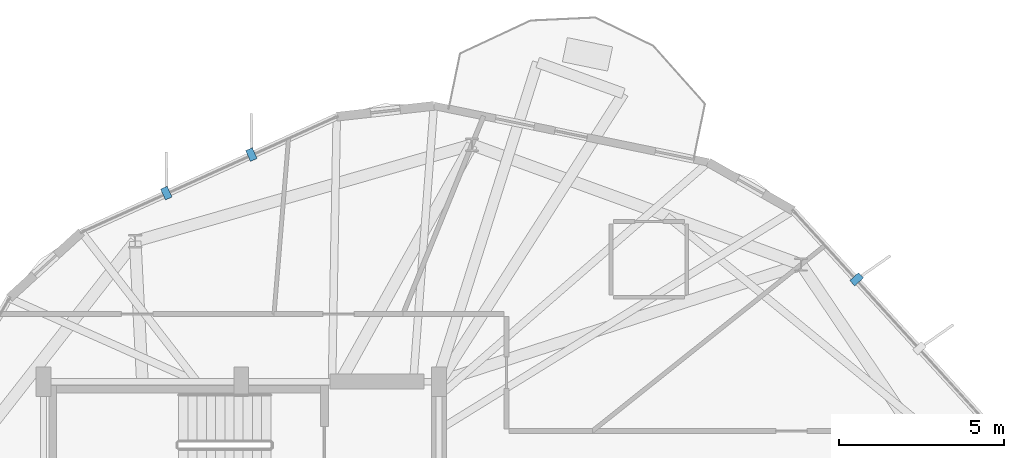
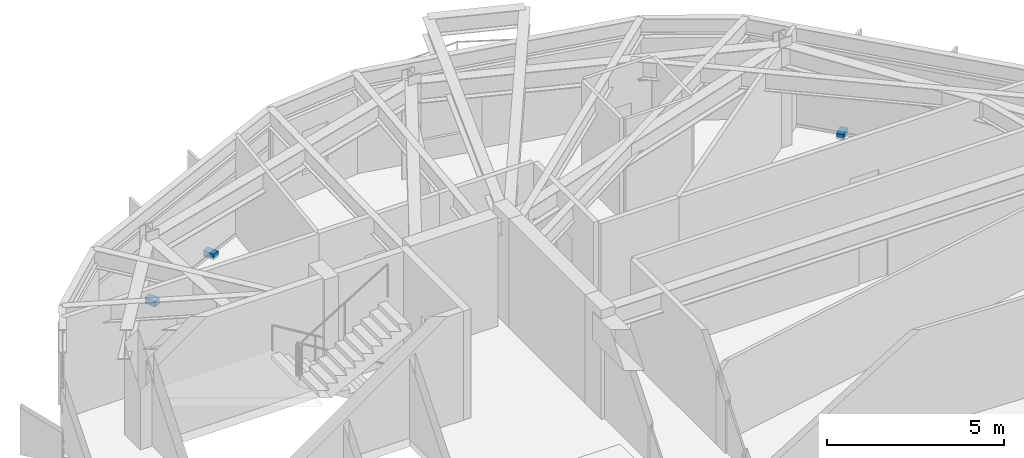
# One storey, part 20 of 23: 3 discrete accessories.
"""IFC4 building model written with IfcOpenShell, lengths in metres."""

import ifcopenshell
import ifcopenshell.guid

model = None  # the IFC model being written
_history = None  # IfcOwnerHistory: only IFC2X3 demands one
_inside = {}  # id of a spatial element -> (the spatial element, [elements in it])
_under = {}  # id of a project, library or spatial element -> (it, [spatial elements below it])
_declared = {}  # id of a project -> (the project, [libraries it declares])
_typed = {}  # id of a type object -> (the type object, [elements of that type])
_made_of = {}  # id of a material, layer set ... -> (it, [elements and type objects made of it])


def new_model(schema):
    """Start an empty IFC model of exactly this schema.

    Asked for "IFC4X3", IfcOpenShell would pick the latest addendum, in which some entities
    have other attributes; the version numbers below select the first issue.
    IFC2X3 requires an IfcOwnerHistory on every rooted entity: one is made here for all.
    """
    global model, _history
    if schema == "IFC4X3":
        model = ifcopenshell.file(schema_version=(4, 3, 0, 0))
    else:
        model = ifcopenshell.file(schema=schema)
    _inside.clear()
    _under.clear()
    _declared.clear()
    _typed.clear()
    _made_of.clear()
    _history = None
    if model.schema == "IFC2X3":
        org = make("IfcOrganization", Name="unknown")
        user = make(
            "IfcPersonAndOrganization",
            ThePerson=make("IfcPerson", FamilyName="unknown"),
            TheOrganization=org,
        )
        app = make(
            "IfcApplication",
            ApplicationDeveloper=org,
            Version="unknown",
            ApplicationFullName="unknown",
            ApplicationIdentifier="unknown",
        )
        _history = make(
            "IfcOwnerHistory",
            OwningUser=user,
            OwningApplication=app,
            ChangeAction="ADDED",
            CreationDate=0,
        )
    return model


def make(cls, **values):
    """One entity of the class cls with the attributes given. An attribute that is None is left unset."""
    return model.create_entity(
        cls, **{name: value for name, value in values.items() if value is not None}
    )


def rooted(cls, **values):
    """An entity with a GlobalId (a new one), such as an element, a storey or a relation."""
    return make(cls, GlobalId=ifcopenshell.guid.new(), OwnerHistory=_history, **values)


def si_unit(unit_type, name, prefix=None):
    """IfcSIUnit, for example si_unit("LENGTHUNIT", "METRE", prefix="MILLI")."""
    return make("IfcSIUnit", UnitType=unit_type, Prefix=prefix, Name=name)


def assignment(units):
    """IfcUnitAssignment: the units of a project."""
    return None if units is None else make("IfcUnitAssignment", Units=units)


def point(xyz):
    """IfcCartesianPoint."""
    return None if xyz is None else make("IfcCartesianPoint", Coordinates=xyz)


def direction(xyz):
    """IfcDirection."""
    return None if xyz is None else make("IfcDirection", DirectionRatios=xyz)


def frame(location, z_axis=None, x_axis=None):
    """IfcAxis2Placement3D, a coordinate frame: its origin and axes. An axis left out is left unset."""
    return make(
        "IfcAxis2Placement3D",
        Location=point(location),
        Axis=direction(z_axis),
        RefDirection=direction(x_axis),
    )


def frame_2d(location, x_axis=None):
    """IfcAxis2Placement2D, a coordinate frame in the plane: its origin and x axis."""
    return make(
        "IfcAxis2Placement2D", Location=point(location), RefDirection=direction(x_axis)
    )


def origin():
    """The frame at (0, 0, 0) with its axes left unset."""
    return frame((0.0, 0.0, 0.0))


def origin_2d():
    """The frame at (0, 0) in the plane with its x axis left unset."""
    return frame_2d((0.0, 0.0))


def place(relative_to, where):
    """IfcLocalPlacement: puts the frame where relative to a parent placement (None: the world)."""
    return make(
        "IfcLocalPlacement", PlacementRelTo=relative_to, RelativePlacement=where
    )


def context(
    kind, dimensions, precision=None, world=None, true_north=None, identifier=None
):
    """IfcGeometricRepresentationContext, for example the 3D "Model" context."""
    return make(
        "IfcGeometricRepresentationContext",
        ContextIdentifier=identifier,
        ContextType=kind,
        CoordinateSpaceDimension=dimensions,
        Precision=precision,
        WorldCoordinateSystem=world,
        TrueNorth=true_north,
    )


def subcontext(parent, identifier, kind, view, scale=None):
    """IfcGeometricRepresentationSubContext, for example "Body" below "Model"."""
    return make(
        "IfcGeometricRepresentationSubContext",
        ContextIdentifier=identifier,
        ContextType=kind,
        ParentContext=parent,
        TargetScale=scale,
        TargetView=view,
    )


def project(units=None, contexts=None):
    """IfcProject with its units and contexts."""
    return rooted(
        "IfcProject",
        Name="project",
        RepresentationContexts=contexts,
        UnitsInContext=assignment(units),
    )


def spatial(cls, under=None, at=None, **own):
    """A site, building, storey or space (cls), placed at a placement, below another one or the project."""
    s = rooted(cls, ObjectPlacement=at, **own)
    if under is not None:
        _under.setdefault(under.id(), (under, []))[1].append(s)
    return s


def profile(cls, at=None, kind="AREA", **sizes):
    """A parametric profile (cls). Its sizes go by their IFC names, for example OverallWidth=200.0."""
    return make(cls, ProfileType=kind, Position=at, **sizes)


def rectangle(**sizes):
    """IfcRectangleProfileDef."""
    return profile("IfcRectangleProfileDef", **sizes)


def extrude(swept, where, along, depth):
    """IfcExtrudedAreaSolid: the profile swept, set in the frame where, extruded along a direction by depth."""
    return make(
        "IfcExtrudedAreaSolid",
        SweptArea=swept,
        Position=where,
        ExtrudedDirection=direction(along),
        Depth=depth,
    )


def shape(context_of_items, identifier, shape_type, items):
    """IfcShapeRepresentation: the items that make up one representation, for example the "Body"."""
    return make(
        "IfcShapeRepresentation",
        ContextOfItems=context_of_items,
        RepresentationIdentifier=identifier,
        RepresentationType=shape_type,
        Items=items,
    )


def material(Name=None, Category=None):
    """IfcMaterial."""
    return make("IfcMaterial", Name=Name, Category=Category)


def made_of(thing, what):
    """Note that an element or type object is made of a material, layer set ...; save() writes the relation."""
    if what is not None:
        _made_of.setdefault(what.id(), (what, []))[1].append(thing)
    return thing


def type_object(cls, material=None, **own):
    """A type object (cls), such as IfcWallType, which elements share."""
    return made_of(rooted(cls, **own), material)


def element(
    cls,
    number,
    at=None,
    inside=None,
    cuts=None,
    type_object=None,
    material=None,
    context=None,
    identifier="Body",
    shape_type=None,
    held_by="IfcProductDefinitionShape",
    body=None,
    shapes=None,
    **own,
):
    """One element of the class cls, such as IfcWall. Its Tag is "e" and its number.

    at: its placement. inside: the storey or other place that contains it. cuts: it is an
    opening in that element (IfcRelVoidsElement). A single representation is given by context,
    identifier, shape_type and body (its items); several are given by shapes. held_by: the class
    of the entity that holds the representations. save() writes the other relations.
    """
    e = rooted(cls, Tag="e%d" % number, ObjectPlacement=at, **own)
    if body is not None:
        shapes = [shape(context, identifier, shape_type, body)]
    if shapes is not None:
        e.Representation = make(held_by, Representations=shapes)
    if inside is not None:
        _inside.setdefault(inside.id(), (inside, []))[1].append(e)
    if cuts is not None:
        rooted(
            "IfcRelVoidsElement", RelatingBuildingElement=cuts, RelatedOpeningElement=e
        )
    if type_object is not None:
        _typed.setdefault(type_object.id(), (type_object, []))[1].append(e)
    return made_of(e, material)


def aggregate(whole, parts):
    """IfcRelAggregates: a whole, such as a stair, and the parts it consists of."""
    return rooted("IfcRelAggregates", RelatingObject=whole, RelatedObjects=parts)


def save(model, path):
    """Write the relations noted so far, then the file.

    IfcRelAggregates (storeys below a building ...), IfcRelContainedInSpatialStructure (elements
    in a storey), IfcRelDefinesByType, IfcRelAssociatesMaterial and IfcRelDeclares: one each for
    every whole, place, type object, material and project.
    """
    for whole, parts in _under.values():
        aggregate(whole, parts)
    for where, things in _inside.values():
        rooted(
            "IfcRelContainedInSpatialStructure",
            RelatedElements=things,
            RelatingStructure=where,
        )
    for kind, things in _typed.values():
        rooted("IfcRelDefinesByType", RelatedObjects=things, RelatingType=kind)
    for what, things in _made_of.values():
        rooted("IfcRelAssociatesMaterial", RelatedObjects=things, RelatingMaterial=what)
    for by, libraries in _declared.values():
        rooted("IfcRelDeclares", RelatingContext=by, RelatedDefinitions=libraries)
    model.write(path)


model = new_model("IFC4")

# Units and contexts
model_context = context("Model", 3, precision=1e-05, world=origin(), true_north=direction((0.0, 1.0)))
body_context = subcontext(model_context, "Body", "Model", "MODEL_VIEW")
ifc_project = project(units=[si_unit("LENGTHUNIT", "METRE"), si_unit("AREAUNIT", "SQUARE_METRE"), si_unit("VOLUMEUNIT", "CUBIC_METRE"), si_unit("PLANEANGLEUNIT", "RADIAN"), si_unit("MASSUNIT", "GRAM", prefix="KILO")], contexts=[model_context])

# Site, building, storey
site_placement = place(None, origin())
site = spatial("IfcSite", under=ifc_project, at=site_placement, CompositionType="ELEMENT")
building_placement = place(site_placement, origin())
building = spatial("IfcBuilding", under=site, at=building_placement, Name="Soratama Intermodal Tower", CompositionType="ELEMENT")
storey_placement = place(building_placement, frame((0.0, 0.0, 257.5)))
storey = spatial("IfcBuildingStorey", under=building, at=storey_placement, Name="L65", CompositionType="ELEMENT", Elevation=257.5)

# Discrete accessories
ifc_material = material(Name="Structural steel ASTM A992 Grade 50", Category="steel")
discrete_accessory_type = type_object("IfcDiscreteAccessoryType", Name="AC-FIN-BRACKET", PredefinedType="BRACKET", material=ifc_material)
for number, where, z_axis, x_axis, name in (
    (1, (38.907470703125, 41.890625, -0.080078125), (0.0, 0.0, 1.0), (-0.412468552072, 0.910971840153, 0.0), "L65 Fin Bracket F02-1"),
    (2, (36.326416015625, 40.721923828125, -0.080078125), (0.0, 0.0, 1.0), (-0.412468552072, 0.910971840153, 0.0), "L65 Fin Bracket F02-2"),
    (3, (57.272216796875, 38.107421875, -0.080078125), (0.0, 0.0, 1.0), (0.738925912503, 0.673786684219, 0.0), "L65 Fin Bracket F10-2"),
):
    element("IfcDiscreteAccessory", number, at=place(storey_placement, frame(where, z_axis=z_axis, x_axis=x_axis)), inside=storey, type_object=discrete_accessory_type, Name=name, PredefinedType="BRACKET", context=body_context, shape_type="SweptSolid", body=[
        extrude(rectangle(XDim=0.360107421875, YDim=0.219970703125, at=origin_2d()), origin(), (0.0, 0.0, 1.0), 0.199951171875),
    ])

save(model, "model.ifc")
